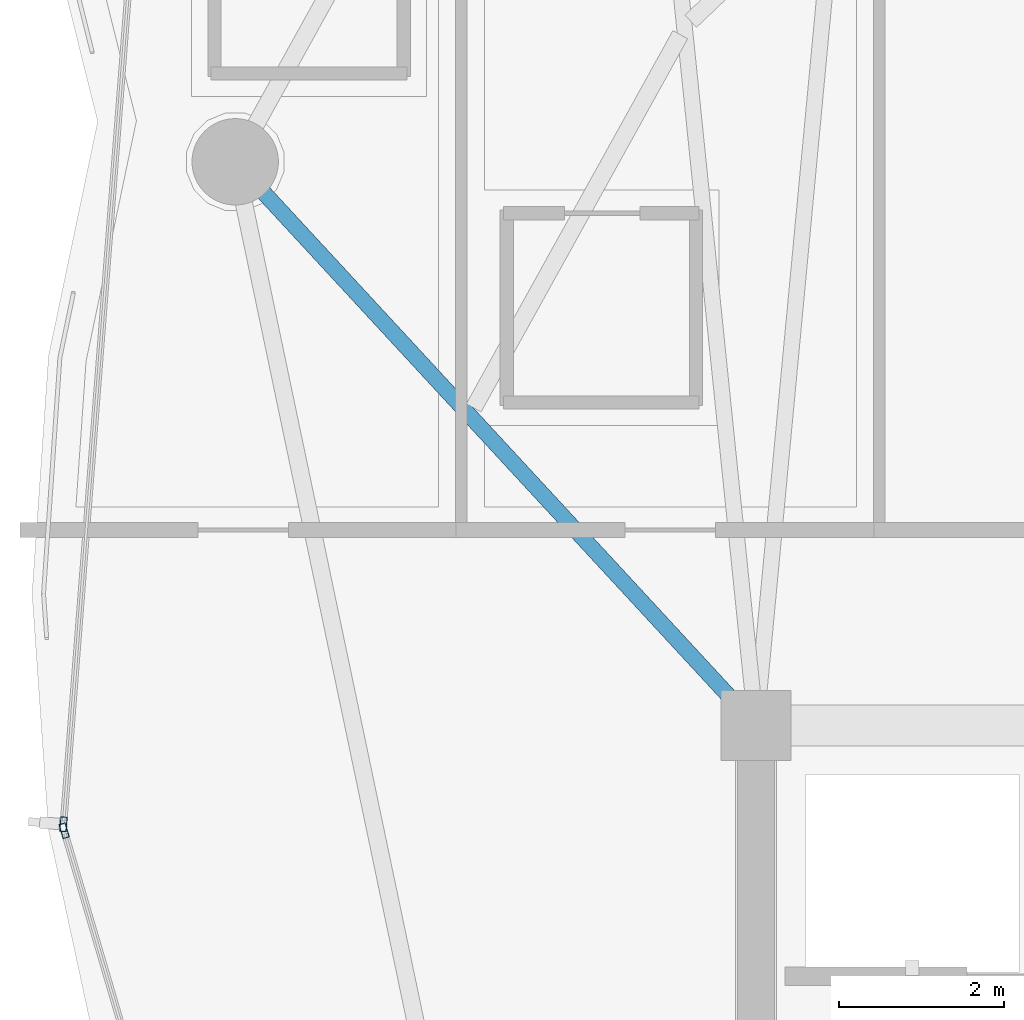
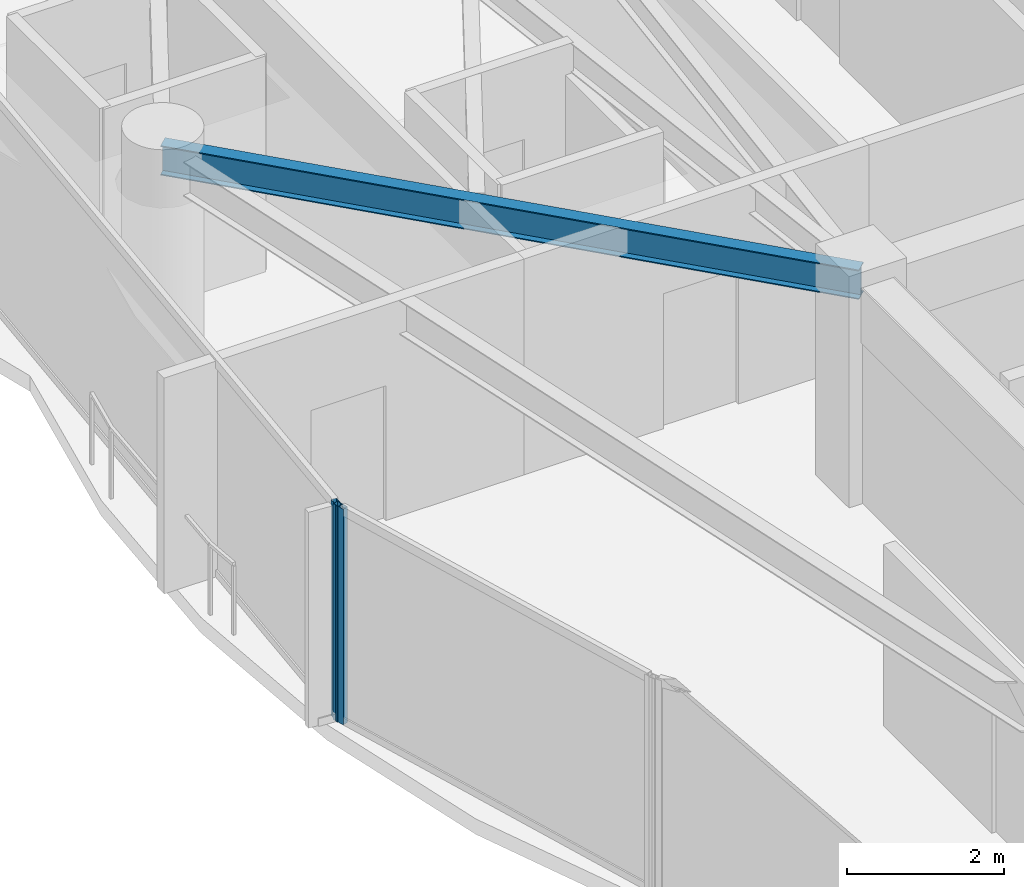
# One storey, part 8 of 31: 2 members, 1 beam, 2 elements without a shape of their own.
"""IFC4 building model written with IfcOpenShell, lengths in metres."""

from ifc_helpers import new_model, si_unit, direction, frame, origin, origin_2d, place, context, subcontext, project, spatial, hollow_rectangle, i_section, extrude, material, layer, layer_set, material_profile, profile_set, type_object, element, aggregate, save


model = new_model("IFC4")

# Units and contexts
model_context = context("Model", 3, precision=1e-05, world=origin(), true_north=direction((0.0, 1.0)))
body_context = subcontext(model_context, "Body", "Model", "MODEL_VIEW")
ifc_project = project(units=[si_unit("LENGTHUNIT", "METRE"), si_unit("AREAUNIT", "SQUARE_METRE"), si_unit("VOLUMEUNIT", "CUBIC_METRE"), si_unit("PLANEANGLEUNIT", "RADIAN"), si_unit("MASSUNIT", "GRAM", prefix="KILO")], contexts=[model_context])

# Site, building, storey
site_placement = place(None, origin())
site = spatial("IfcSite", under=ifc_project, at=site_placement, CompositionType="ELEMENT")
building_placement = place(site_placement, origin())
building = spatial("IfcBuilding", under=site, at=building_placement, Name="Kazevale Care Tower and Concert Hall", CompositionType="ELEMENT")
storey_placement = place(building_placement, frame((0.0, 0.0, 217.199951171875)))
storey = spatial("IfcBuildingStorey", under=building, at=storey_placement, Name="L57", CompositionType="ELEMENT", Elevation=217.199951171875)

# Curtain wall, member
ifc_material_1 = material(Name="Aluminium 6063-T6 and Low-E Glass", Category="aluminium")
ifc_layer = layer(ifc_material_1, 0.179931640625)
ifc_layer_set = layer_set([ifc_layer], Name="Aluminium 6063-T6 and Low-E Glass")
curtain_wall_type = type_object("IfcCurtainWallType", Name="Waist & Upper Residential Curtain Wall CW-4", PredefinedType="NOTDEFINED", material=ifc_layer_set)
curtain_wall_1_placement = place(storey_placement, origin())
curtain_wall_1 = element("IfcCurtainWall", 1, at=curtain_wall_1_placement, inside=storey, type_object=curtain_wall_type, Name="cw:L57:f12", PredefinedType="NOTDEFINED")
ifc_material_2 = material(Name="Aluminium 6063-T6", Category="aluminium")
ifc_material_profile_1 = material_profile(ifc_material_2, hollow_rectangle(XDim=0.080078125, YDim=0.179931640625, WallThickness=0.0048828125, at=origin_2d()), Name="ALU80x180x5")
ifc_profile_set_1 = profile_set([ifc_material_profile_1], Name="Aluminium 6063-T6")
member_type = type_object("IfcMemberType", Name="CW-4 Mullion ALU80x180x5", PredefinedType="MULLION", material=ifc_profile_set_1)
member_1_placement = place(storey_placement, frame((13.59033203125, 35.11865234375, 0.0), z_axis=(0.0, 0.0, 1.0), x_axis=(-0.959385539982, -0.282098184457, 0.0)))
member_1 = element("IfcMember", 2, at=member_1_placement, type_object=member_type, Name="CW-4 mullion 2", PredefinedType="MULLION", context=body_context, shape_type="SweptSolid", body=[
    extrude(hollow_rectangle(XDim=0.080078125, YDim=0.179931640625, WallThickness=0.0048828125, at=origin_2d()), origin(), (0.0, 0.0, 1.0), 3.360107421875),
])
aggregate(curtain_wall_1, [member_1])

curtain_wall_2_placement = place(storey_placement, origin())
curtain_wall_2 = element("IfcCurtainWall", 3, at=curtain_wall_2_placement, inside=storey, type_object=curtain_wall_type, Name="cw:L57:f13", PredefinedType="NOTDEFINED")
member_2_placement = place(storey_placement, frame((13.58203125, 35.19677734375, 0.0), z_axis=(0.0, 0.0, 1.0), x_axis=(-0.996989311372, 0.077539106325, 0.0)))
member_2 = element("IfcMember", 4, at=member_2_placement, type_object=member_type, Name="CW-4 mullion 1", PredefinedType="MULLION", context=body_context, shape_type="SweptSolid", body=[
    extrude(hollow_rectangle(XDim=0.080078125, YDim=0.179931640625, WallThickness=0.0048828125, at=origin_2d()), origin(), (0.0, 0.0, 1.0), 3.360107421875),
])
aggregate(curtain_wall_2, [member_2])

# Beam
ifc_material_3 = material(Name="Steel ASTM A572 Gr 50", Category="steel")
ifc_material_profile_2 = material_profile(ifc_material_3, i_section(OverallWidth=0.19091796875, OverallDepth=0.4599609375, WebThickness=0.010009765625, FlangeThickness=0.01611328125, at=origin_2d()), Name="W460x82")
ifc_profile_set_2 = profile_set([ifc_material_profile_2], Name="Steel ASTM A572 Gr 50")
beam_type = type_object("IfcBeamType", Name="Radial Floor Beam W460x82", PredefinedType="BEAM", material=ifc_profile_set_2)
beam_placement = place(storey_placement, frame((22.0, 36.39990234375, 3.130126953125), z_axis=(-0.678680078581, 0.734434034435, 0.0), x_axis=(-0.734434034435, -0.678680078581, 0.0)))
element("IfcBeam", 5, at=beam_placement, inside=storey, type_object=beam_type, Name="beam:L57:rad:09", PredefinedType="BEAM", context=body_context, shape_type="SweptSolid", body=[
    extrude(i_section(OverallWidth=0.19091796875, OverallDepth=0.4599609375, WebThickness=0.010009765625, FlangeThickness=0.01611328125, at=origin_2d()), origin(), (0.0, 0.0, 1.0), 9.3271484375),
])

save(model, "model.ifc")
